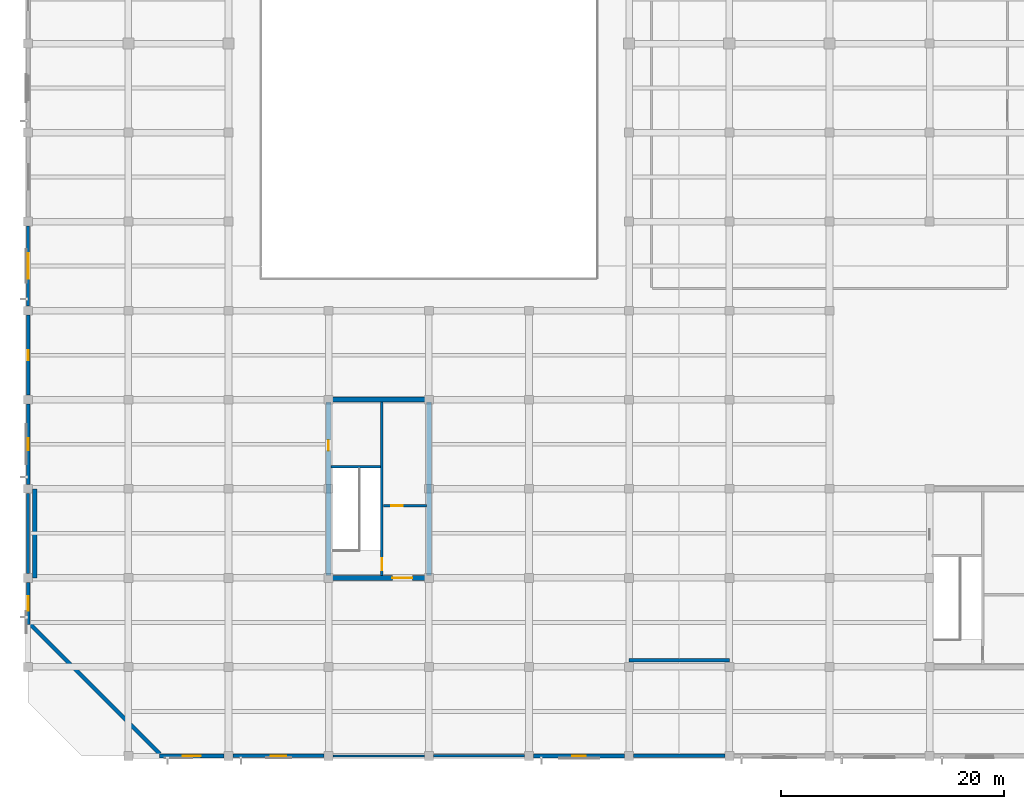
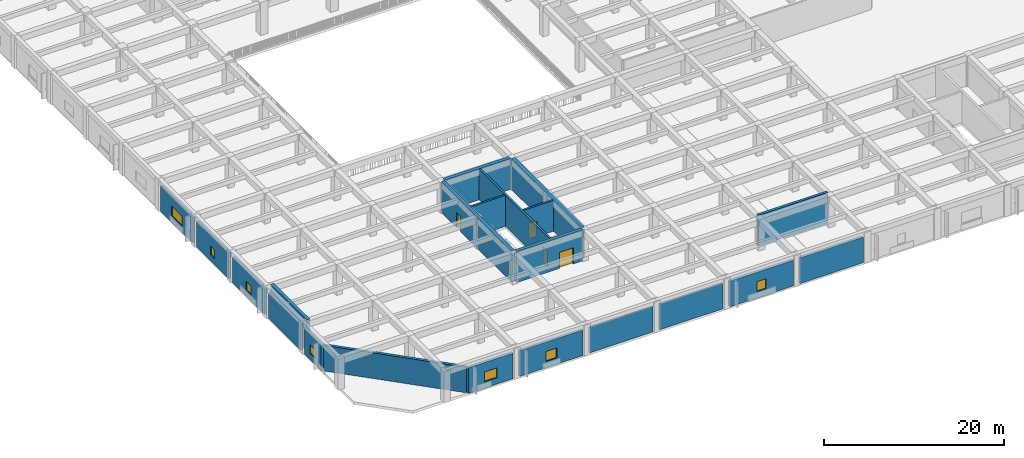
# One storey, part 9 of 32: 21 walls, 7 windows, 4 doors, 11 openings.
"""IFC4 building model written with IfcOpenShell, lengths in metres."""

from ifc_helpers import new_model, si_unit, direction, frame, frame_2d, origin, place, context, subcontext, project, spatial, rectangle, extrude, material, layer, layer_set, type_object, element, fill, save


model = new_model("IFC4")

# Units and contexts
model_context = context("Model", 3, precision=1e-05, world=origin(), true_north=direction((0.0, 1.0)))
body_context = subcontext(model_context, "Body", "Model", "MODEL_VIEW")
ifc_project = project(units=[si_unit("LENGTHUNIT", "METRE"), si_unit("AREAUNIT", "SQUARE_METRE"), si_unit("VOLUMEUNIT", "CUBIC_METRE"), si_unit("PLANEANGLEUNIT", "RADIAN"), si_unit("MASSUNIT", "GRAM", prefix="KILO")], contexts=[model_context])

# Site, building, storey
site_placement = place(None, origin())
site = spatial("IfcSite", under=ifc_project, at=site_placement, CompositionType="ELEMENT")
building_placement = place(site_placement, origin())
building = spatial("IfcBuilding", under=site, at=building_placement, Name="Zaverband Oceanarium and Marine Research Institute", CompositionType="ELEMENT")
storey_placement = place(building_placement, frame((0.0, 0.0, 13.5)))
storey = spatial("IfcBuildingStorey", under=building, at=storey_placement, Name="L03", CompositionType="ELEMENT", Elevation=13.5)

# Walls
ifc_material_1 = material(Name="Concrete C40/50 precast", Category="concrete")
ifc_layer_1 = layer(ifc_material_1, 0.18505859375, Name="Concrete C40/50 precast")
ifc_layer_set_1 = layer_set([ifc_layer_1], Name="Concrete C40/50 precast")
wall_type_1 = type_object("IfcWallType", Name="CLS-185", PredefinedType="ELEMENTEDWALL", material=ifc_layer_set_1)
wall_1_placement = place(storey_placement, frame((27.405029296875, 0.0, 0.0), z_axis=(0.0, 0.0, 1.0), x_axis=(1.0, 0.0, 0.0)))
element("IfcWall", 1, at=wall_1_placement, inside=storey, type_object=wall_type_1, Name="Pierced concrete screen CLS-185", PredefinedType="ELEMENTEDWALL", context=body_context, shape_type="SweptSolid", body=[
    extrude(rectangle(XDim=8.18994140625, YDim=0.18505859375, at=frame_2d((4.094970703125, 0.0))), origin(), (0.0, 0.0, 1.0), 3.47998046875),
])
ifc_layer_2 = layer(ifc_material_1, 0.2099609375, Name="Concrete C40/50 precast")
ifc_layer_set_2 = layer_set([ifc_layer_2], Name="Concrete C40/50 precast")
wall_type_2 = type_object("IfcWallType", Name="CLS-210", PredefinedType="ELEMENTEDWALL", material=ifc_layer_set_2)
wall_2_placement = place(storey_placement, frame((36.405029296875, 0.0, 0.0), z_axis=(0.0, 0.0, 1.0), x_axis=(1.0, 0.0, 0.0)))
element("IfcWall", 2, at=wall_2_placement, inside=storey, type_object=wall_type_2, Name="Pierced concrete screen CLS-210", PredefinedType="ELEMENTEDWALL", context=body_context, shape_type="SweptSolid", body=[
    extrude(rectangle(XDim=8.18994140625, YDim=0.2099609375, at=frame_2d((4.094970703125, 0.0))), origin(), (0.0, 0.0, 1.0), 3.47998046875),
])

# Wall, opening, door
ifc_material_2 = material(Name="Concrete C50/60", Category="concrete")
ifc_layer_3 = layer(ifc_material_2, 0.449951171875, Name="Concrete C50/60")
ifc_layer_set_3 = layer_set([ifc_layer_3], Name="Concrete C50/60")
wall_type_3 = type_object("IfcWallType", Name="CW-02", PredefinedType="SHEAR", material=ifc_layer_set_3)
wall_3_placement = place(storey_placement, frame((27.22509765625, 16.0, 0.0), z_axis=(0.0, 0.0, 1.0), x_axis=(1.0, 0.0, 0.0)))
wall_3 = element("IfcWall", 3, at=wall_3_placement, inside=storey, type_object=wall_type_3, Name="Structural shear wall CW-02", PredefinedType="SHEAR", context=body_context, shape_type="SweptSolid", body=[
    extrude(rectangle(XDim=8.5498046875, YDim=0.449951171875, at=frame_2d((4.27490234375, 0.0))), origin(), (0.0, 0.0, 1.0), 4.199951171875),
])
opening_1_placement = place(wall_3_placement, frame((5.5, 0.0, 0.0)))
opening_1 = element("IfcOpeningElement", 4, at=opening_1_placement, cuts=wall_3, Name="Opening FD-02", PredefinedType="OPENING", context=body_context, shape_type="SweptSolid", body=[
    extrude(rectangle(XDim=1.800048828125, YDim=2.179931640625, at=frame_2d((0.89990234375, 1.08984375))), frame((0.0, 0.23681640625, 0.0), z_axis=(0.0, -1.0, 0.0), x_axis=(1.0, 0.0, 0.0)), (0.0, 0.0, 1.0), 0.473876953125),
])
ifc_material_3 = material(Name="Steel S355", Category="steel")
door_type_1 = type_object("IfcDoorType", Name="FD-02", OperationType="DOUBLE_DOOR_SINGLE_SWING", PredefinedType="DOOR", material=ifc_material_3)
door_1_placement = place(opening_1_placement, origin())
door_1 = element("IfcDoor", 5, at=door_1_placement, inside=storey, type_object=door_type_1, Name="Protected lobby double fire door FD-02", OperationType="DOUBLE_DOOR_SINGLE_SWING", OverallHeight=2.179931640625, OverallWidth=1.800048828125, PredefinedType="DOOR", context=body_context, shape_type="SweptSolid", body=[
    extrude(rectangle(XDim=1.800048828125, YDim=2.179931640625, at=frame_2d((0.89990234375, 1.08984375))), frame((0.0, 0.02490234375, 0.0), z_axis=(0.0, -1.0, 0.0), x_axis=(1.0, 0.0, 0.0)), (0.0, 0.0, 1.0), 0.050048828125),
])
fill(opening_1, door_1)

# Wall
wall_4_placement = place(storey_placement, frame((27.22509765625, 32.0, 0.0), z_axis=(0.0, 0.0, 1.0), x_axis=(1.0, 0.0, 0.0)))
element("IfcWall", 6, at=wall_4_placement, inside=storey, type_object=wall_type_3, Name="Structural shear wall CW-02", PredefinedType="SHEAR", context=body_context, shape_type="SweptSolid", body=[
    extrude(rectangle(XDim=8.5498046875, YDim=0.449951171875, at=frame_2d((4.27490234375, 0.0))), origin(), (0.0, 0.0, 1.0), 4.199951171875),
])

# Wall, opening, door
wall_5_placement = place(storey_placement, frame((27.0, 16.22509765625, 0.0), z_axis=(0.0, 0.0, 1.0), x_axis=(0.0, 1.0, 0.0)))
wall_5 = element("IfcWall", 7, at=wall_5_placement, inside=storey, type_object=wall_type_3, Name="Structural shear wall CW-02", PredefinedType="SHEAR", context=body_context, shape_type="SweptSolid", body=[
    extrude(rectangle(XDim=15.5498046875, YDim=0.449951171875, at=frame_2d((7.77490234375, 0.0))), origin(), (0.0, 0.0, 1.0), 4.199951171875),
])
opening_2_placement = place(wall_5_placement, frame((11.199951171875, 0.0, 0.0)))
opening_2 = element("IfcOpeningElement", 8, at=opening_2_placement, cuts=wall_5, Name="Opening FD-03", PredefinedType="OPENING", context=body_context, shape_type="SweptSolid", body=[
    extrude(rectangle(XDim=0.949951171875, YDim=2.10009765625, at=frame_2d((0.47509765625, 1.050048828125))), frame((0.0, 0.23681640625, 0.0), z_axis=(0.0, -1.0, 0.0), x_axis=(1.0, 0.0, 0.0)), (0.0, 0.0, 1.0), 0.473876953125),
])
door_type_2 = type_object("IfcDoorType", Name="FD-03", OperationType="NOTDEFINED", PredefinedType="DOOR", material=ifc_material_3)
door_2_placement = place(opening_2_placement, origin())
door_2 = element("IfcDoor", 9, at=door_2_placement, inside=storey, type_object=door_type_2, Name="Service riser access fire door FD-03", OperationType="SINGLE_SWING_RIGHT", OverallHeight=2.10009765625, OverallWidth=0.949951171875, PredefinedType="DOOR", context=body_context, shape_type="SweptSolid", body=[
    extrude(rectangle(XDim=0.949951171875, YDim=2.10009765625, at=frame_2d((0.47509765625, 1.050048828125))), frame((0.0, 0.02490234375, 0.0), z_axis=(0.0, -1.0, 0.0), x_axis=(1.0, 0.0, 0.0)), (0.0, 0.0, 1.0), 0.050048828125),
])
fill(opening_2, door_2)

# Walls
wall_6_placement = place(storey_placement, frame((36.0, 16.22509765625, 0.0), z_axis=(0.0, 0.0, 1.0), x_axis=(0.0, 1.0, 0.0)))
element("IfcWall", 10, at=wall_6_placement, inside=storey, type_object=wall_type_3, Name="Structural shear wall CW-02", PredefinedType="SHEAR", context=body_context, shape_type="SweptSolid", body=[
    extrude(rectangle(XDim=15.5498046875, YDim=0.449951171875, at=frame_2d((7.77490234375, 0.0))), origin(), (0.0, 0.0, 1.0), 4.199951171875),
])
ifc_layer_4 = layer(ifc_material_1, 0.264892578125, Name="Concrete C40/50 precast")
ifc_layer_set_4 = layer_set([ifc_layer_4], Name="Concrete C40/50 precast")
wall_type_4 = type_object("IfcWallType", Name="EW-265", PredefinedType="STANDARD", material=ifc_layer_set_4)
wall_7_placement = place(storey_placement, frame((0.0, 16.405029296875, 0.0), z_axis=(0.0, 0.0, 1.0), x_axis=(0.0, 1.0, 0.0)))
element("IfcWall", 11, at=wall_7_placement, inside=storey, type_object=wall_type_4, Name="Exterior infill wall EW-265", PredefinedType="STANDARD", context=body_context, shape_type="SweptSolid", body=[
    extrude(rectangle(XDim=7.18994140625, YDim=0.264892578125, at=frame_2d((3.594970703125, 0.0))), origin(), (0.0, 0.0, 1.0), 3.47998046875),
])

# Wall, opening, window
wall_8_placement = place(storey_placement, frame((0.0, 40.405029296875, 0.0), z_axis=(0.0, 0.0, 1.0), x_axis=(0.0, 1.0, 0.0)))
wall_8 = element("IfcWall", 12, at=wall_8_placement, inside=storey, type_object=wall_type_4, Name="Exterior infill wall EW-265", PredefinedType="STANDARD", context=body_context, shape_type="SweptSolid", body=[
    extrude(rectangle(XDim=7.18994140625, YDim=0.264892578125, at=frame_2d((3.594970703125, 0.0))), origin(), (0.0, 0.0, 1.0), 3.47998046875),
])
opening_3_placement = place(wall_8_placement, frame((2.445068359375, 0.0, 0.85009765625)))
opening_3 = element("IfcOpeningElement", 13, at=opening_3_placement, cuts=wall_8, Name="Opening WN-2300x1350", PredefinedType="OPENING", context=body_context, shape_type="SweptSolid", body=[
    extrude(rectangle(XDim=2.300048828125, YDim=1.35009765625, at=frame_2d((1.14990234375, 0.675048828125))), frame((0.0, 0.14453125, 0.0), z_axis=(0.0, -1.0, 0.0), x_axis=(1.0, 0.0, 0.0)), (0.0, 0.0, 1.0), 0.288818359375),
])
ifc_material_4 = material(Name="Thermally broken anodized aluminium and solar-control glass", Category="aluminium")
window_type_1 = type_object("IfcWindowType", Name="WN-2300x1350", PartitioningType="SINGLE_PANEL", PredefinedType="WINDOW", material=ifc_material_4)
window_1_placement = place(opening_3_placement, origin())
window_1 = element("IfcWindow", 14, at=window_1_placement, inside=storey, type_object=window_type_1, Name="Fixed / casement exterior window WN-2300x1350", OverallHeight=1.35009765625, OverallWidth=2.300048828125, PartitioningType="SINGLE_PANEL", PredefinedType="WINDOW", context=body_context, shape_type="SweptSolid", body=[
    extrude(rectangle(XDim=2.300048828125, YDim=1.35009765625, at=frame_2d((1.14990234375, 0.675048828125))), frame((0.0, 0.030029296875, 0.0), z_axis=(0.0, -1.0, 0.0), x_axis=(1.0, 0.0, 0.0)), (0.0, 0.0, 1.0), 0.06005859375),
])
fill(opening_3, window_1)

ifc_layer_5 = layer(ifc_material_1, 0.2900390625, Name="Concrete C40/50 precast")
ifc_layer_set_5 = layer_set([ifc_layer_5], Name="Concrete C40/50 precast")
wall_type_5 = type_object("IfcWallType", Name="EW-290", PredefinedType="STANDARD", material=ifc_layer_set_5)
wall_9_placement = place(storey_placement, frame((0.0, 11.820068359375, 0.0), z_axis=(0.0, 0.0, 1.0), x_axis=(0.0, 1.0, 0.0)))
wall_9 = element("IfcWall", 15, at=wall_9_placement, inside=storey, type_object=wall_type_5, Name="Exterior infill wall EW-290", PredefinedType="STANDARD", context=body_context, shape_type="SweptSolid", body=[
    extrude(rectangle(XDim=3.77490234375, YDim=0.2900390625, at=frame_2d((1.887451171875, 0.0))), origin(), (0.0, 0.0, 1.0), 3.47998046875),
])
opening_4_placement = place(wall_9_placement, frame((1.237548828125, 0.0, 0.85009765625)))
opening_4 = element("IfcOpeningElement", 16, at=opening_4_placement, cuts=wall_9, Name="Opening WN-1300x1200", PredefinedType="OPENING", context=body_context, shape_type="SweptSolid", body=[
    extrude(rectangle(XDim=1.300048828125, YDim=1.199951171875, at=frame_2d((0.64990234375, 0.60009765625))), frame((0.0, 0.156982421875, 0.0), z_axis=(0.0, -1.0, 0.0), x_axis=(1.0, 0.0, 0.0)), (0.0, 0.0, 1.0), 0.31396484375),
])
window_type_2 = type_object("IfcWindowType", Name="WN-1300x1200", PartitioningType="SINGLE_PANEL", PredefinedType="WINDOW", material=ifc_material_4)
window_2_placement = place(opening_4_placement, origin())
window_2 = element("IfcWindow", 17, at=window_2_placement, inside=storey, type_object=window_type_2, Name="Fixed / casement exterior window WN-1300x1200", OverallHeight=1.199951171875, OverallWidth=1.300048828125, PartitioningType="SINGLE_PANEL", PredefinedType="WINDOW", context=body_context, shape_type="SweptSolid", body=[
    extrude(rectangle(XDim=1.300048828125, YDim=1.199951171875, at=frame_2d((0.64990234375, 0.60009765625))), frame((0.0, 0.030029296875, 0.0), z_axis=(0.0, -1.0, 0.0), x_axis=(1.0, 0.0, 0.0)), (0.0, 0.0, 1.0), 0.06005859375),
])
fill(opening_4, window_2)

wall_10_placement = place(storey_placement, frame((0.0, 32.405029296875, 0.0), z_axis=(0.0, 0.0, 1.0), x_axis=(0.0, 1.0, 0.0)))
wall_10 = element("IfcWall", 18, at=wall_10_placement, inside=storey, type_object=wall_type_5, Name="Exterior infill wall EW-290", PredefinedType="STANDARD", context=body_context, shape_type="SweptSolid", body=[
    extrude(rectangle(XDim=7.18994140625, YDim=0.2900390625, at=frame_2d((3.594970703125, 0.0))), origin(), (0.0, 0.0, 1.0), 3.47998046875),
])
opening_5_placement = place(wall_10_placement, frame((3.14501953125, 0.0, 0.85009765625)))
opening_5 = element("IfcOpeningElement", 19, at=opening_5_placement, cuts=wall_10, Name="Opening WN-900x1200", PredefinedType="OPENING", context=body_context, shape_type="SweptSolid", body=[
    extrude(rectangle(XDim=0.89990234375, YDim=1.199951171875, at=frame_2d((0.449951171875, 0.60009765625))), frame((0.0, 0.156982421875, 0.0), z_axis=(0.0, -1.0, 0.0), x_axis=(1.0, 0.0, 0.0)), (0.0, 0.0, 1.0), 0.31396484375),
])
window_type_3 = type_object("IfcWindowType", Name="WN-900x1200", PartitioningType="SINGLE_PANEL", PredefinedType="WINDOW", material=ifc_material_4)
window_3_placement = place(opening_5_placement, origin())
window_3 = element("IfcWindow", 20, at=window_3_placement, inside=storey, type_object=window_type_3, Name="Fixed / casement exterior window WN-900x1200", OverallHeight=1.199951171875, OverallWidth=0.89990234375, PartitioningType="SINGLE_PANEL", PredefinedType="WINDOW", context=body_context, shape_type="SweptSolid", body=[
    extrude(rectangle(XDim=0.89990234375, YDim=1.199951171875, at=frame_2d((0.449951171875, 0.60009765625))), frame((0.0, 0.030029296875, 0.0), z_axis=(0.0, -1.0, 0.0), x_axis=(1.0, 0.0, 0.0)), (0.0, 0.0, 1.0), 0.06005859375),
])
fill(opening_5, window_3)

ifc_layer_6 = layer(ifc_material_1, 0.31005859375, Name="Concrete C40/50 precast")
ifc_layer_set_6 = layer_set([ifc_layer_6], Name="Concrete C40/50 precast")
wall_type_6 = type_object("IfcWallType", Name="EW-310", PredefinedType="STANDARD", material=ifc_layer_set_6)
wall_11_placement = place(storey_placement, frame((18.405029296875, 0.0, 0.0), z_axis=(0.0, 0.0, 1.0), x_axis=(1.0, 0.0, 0.0)))
wall_11 = element("IfcWall", 21, at=wall_11_placement, inside=storey, type_object=wall_type_6, Name="Exterior infill wall EW-310", PredefinedType="STANDARD", context=body_context, shape_type="SweptSolid", body=[
    extrude(rectangle(XDim=8.18994140625, YDim=0.31005859375, at=frame_2d((4.094970703125, 0.0))), origin(), (0.0, 0.0, 1.0), 3.47998046875),
])
opening_6_placement = place(wall_11_placement, frame((3.39501953125, 0.0, 0.85009765625)))
opening_6 = element("IfcOpeningElement", 22, at=opening_6_placement, cuts=wall_11, Name="Opening WN-1400x1350", PredefinedType="OPENING", context=body_context, shape_type="SweptSolid", body=[
    extrude(rectangle(XDim=1.39990234375, YDim=1.35009765625, at=frame_2d((0.699951171875, 0.675048828125))), frame((0.0, 0.1669921875, 0.0), z_axis=(0.0, -1.0, 0.0), x_axis=(1.0, 0.0, 0.0)), (0.0, 0.0, 1.0), 0.333984375),
])
window_type_4 = type_object("IfcWindowType", Name="WN-1400x1350", PartitioningType="SINGLE_PANEL", PredefinedType="WINDOW", material=ifc_material_4)
window_4_placement = place(opening_6_placement, origin())
window_4 = element("IfcWindow", 23, at=window_4_placement, inside=storey, type_object=window_type_4, Name="Fixed / casement exterior window WN-1400x1350", OverallHeight=1.35009765625, OverallWidth=1.39990234375, PartitioningType="SINGLE_PANEL", PredefinedType="WINDOW", context=body_context, shape_type="SweptSolid", body=[
    extrude(rectangle(XDim=1.39990234375, YDim=1.35009765625, at=frame_2d((0.699951171875, 0.675048828125))), frame((0.0, 0.030029296875, 0.0), z_axis=(0.0, -1.0, 0.0), x_axis=(1.0, 0.0, 0.0)), (0.0, 0.0, 1.0), 0.06005859375),
])
fill(opening_6, window_4)

# Wall
wall_12_placement = place(storey_placement, frame((54.405029296875, 0.0, 0.0), z_axis=(0.0, 0.0, 1.0), x_axis=(1.0, 0.0, 0.0)))
element("IfcWall", 24, at=wall_12_placement, inside=storey, type_object=wall_type_6, Name="Exterior infill wall EW-310", PredefinedType="STANDARD", context=body_context, shape_type="SweptSolid", body=[
    extrude(rectangle(XDim=8.18994140625, YDim=0.31005859375, at=frame_2d((4.094970703125, 0.0))), origin(), (0.0, 0.0, 1.0), 3.47998046875),
])

# Wall, opening, window
wall_13_placement = place(storey_placement, frame((0.0, 24.405029296875, 0.0), z_axis=(0.0, 0.0, 1.0), x_axis=(0.0, 1.0, 0.0)))
wall_13 = element("IfcWall", 25, at=wall_13_placement, inside=storey, type_object=wall_type_6, Name="Exterior infill wall EW-310", PredefinedType="STANDARD", context=body_context, shape_type="SweptSolid", body=[
    extrude(rectangle(XDim=7.18994140625, YDim=0.31005859375, at=frame_2d((3.594970703125, 0.0))), origin(), (0.0, 0.0, 1.0), 3.47998046875),
])
opening_7_placement = place(wall_13_placement, frame((3.044921875, 0.0, 0.85009765625)))
opening_7 = element("IfcOpeningElement", 26, at=opening_7_placement, cuts=wall_13, Name="Opening WN-1100x1200", PredefinedType="OPENING", context=body_context, shape_type="SweptSolid", body=[
    extrude(rectangle(XDim=1.10009765625, YDim=1.199951171875, at=frame_2d((0.550048828125, 0.60009765625))), frame((0.0, 0.1669921875, 0.0), z_axis=(0.0, -1.0, 0.0), x_axis=(1.0, 0.0, 0.0)), (0.0, 0.0, 1.0), 0.333984375),
])
window_type_5 = type_object("IfcWindowType", Name="WN-1100x1200", PartitioningType="SINGLE_PANEL", PredefinedType="WINDOW", material=ifc_material_4)
window_5_placement = place(opening_7_placement, origin())
window_5 = element("IfcWindow", 27, at=window_5_placement, inside=storey, type_object=window_type_5, Name="Fixed / casement exterior window WN-1100x1200", OverallHeight=1.199951171875, OverallWidth=1.10009765625, PartitioningType="SINGLE_PANEL", PredefinedType="WINDOW", context=body_context, shape_type="SweptSolid", body=[
    extrude(rectangle(XDim=1.10009765625, YDim=1.199951171875, at=frame_2d((0.550048828125, 0.60009765625))), frame((0.0, 0.030029296875, 0.0), z_axis=(0.0, -1.0, 0.0), x_axis=(1.0, 0.0, 0.0)), (0.0, 0.0, 1.0), 0.06005859375),
])
fill(opening_7, window_5)

ifc_layer_7 = layer(ifc_material_1, 0.340087890625, Name="Concrete C40/50 precast")
ifc_layer_set_7 = layer_set([ifc_layer_7], Name="Concrete C40/50 precast")
wall_type_7 = type_object("IfcWallType", Name="EW-340", PredefinedType="STANDARD", material=ifc_layer_set_7)
wall_14_placement = place(storey_placement, frame((11.820068359375, 0.0, 0.0), z_axis=(0.0, 0.0, 1.0), x_axis=(1.0, 0.0, 0.0)))
wall_14 = element("IfcWall", 28, at=wall_14_placement, inside=storey, type_object=wall_type_7, Name="Exterior infill wall EW-340", PredefinedType="STANDARD", context=body_context, shape_type="SweptSolid", body=[
    extrude(rectangle(XDim=5.77490234375, YDim=0.340087890625, at=frame_2d((2.887451171875, 0.0))), origin(), (0.0, 0.0, 1.0), 3.47998046875),
])
opening_8_placement = place(wall_14_placement, frame((2.08740234375, 0.0, 0.85009765625)))
opening_8 = element("IfcOpeningElement", 29, at=opening_8_placement, cuts=wall_14, Name="Opening WN-1600x1350", PredefinedType="OPENING", context=body_context, shape_type="SweptSolid", body=[
    extrude(rectangle(XDim=1.60009765625, YDim=1.35009765625, at=frame_2d((0.800048828125, 0.675048828125))), frame((0.0, 0.18212890625, 0.0), z_axis=(0.0, -1.0, 0.0), x_axis=(1.0, 0.0, 0.0)), (0.0, 0.0, 1.0), 0.364013671875),
])
window_type_6 = type_object("IfcWindowType", Name="WN-1600x1350", PartitioningType="SINGLE_PANEL", PredefinedType="WINDOW", material=ifc_material_4)
window_6_placement = place(opening_8_placement, origin())
window_6 = element("IfcWindow", 30, at=window_6_placement, inside=storey, type_object=window_type_6, Name="Fixed / casement exterior window WN-1600x1350", OverallHeight=1.35009765625, OverallWidth=1.60009765625, PartitioningType="SINGLE_PANEL", PredefinedType="WINDOW", context=body_context, shape_type="SweptSolid", body=[
    extrude(rectangle(XDim=1.60009765625, YDim=1.35009765625, at=frame_2d((0.800048828125, 0.675048828125))), frame((0.0, 0.030029296875, 0.0), z_axis=(0.0, -1.0, 0.0), x_axis=(1.0, 0.0, 0.0)), (0.0, 0.0, 1.0), 0.06005859375),
])
fill(opening_8, window_6)

wall_15_placement = place(storey_placement, frame((45.405029296875, 0.0, 0.0), z_axis=(0.0, 0.0, 1.0), x_axis=(1.0, 0.0, 0.0)))
wall_15 = element("IfcWall", 31, at=wall_15_placement, inside=storey, type_object=wall_type_7, Name="Exterior infill wall EW-340", PredefinedType="STANDARD", context=body_context, shape_type="SweptSolid", body=[
    extrude(rectangle(XDim=8.18994140625, YDim=0.340087890625, at=frame_2d((4.094970703125, 0.0))), origin(), (0.0, 0.0, 1.0), 3.47998046875),
])
opening_9_placement = place(wall_15_placement, frame((3.4951171875, 0.0, 0.85009765625)))
opening_9 = element("IfcOpeningElement", 32, at=opening_9_placement, cuts=wall_15, Name="Opening WN-1200x1350", PredefinedType="OPENING", context=body_context, shape_type="SweptSolid", body=[
    extrude(rectangle(XDim=1.199951171875, YDim=1.35009765625, at=frame_2d((0.60009765625, 0.675048828125))), frame((0.0, 0.18212890625, 0.0), z_axis=(0.0, -1.0, 0.0), x_axis=(1.0, 0.0, 0.0)), (0.0, 0.0, 1.0), 0.364013671875),
])
window_type_7 = type_object("IfcWindowType", Name="WN-1200x1350", PartitioningType="SINGLE_PANEL", PredefinedType="WINDOW", material=ifc_material_4)
window_7_placement = place(opening_9_placement, origin())
window_7 = element("IfcWindow", 33, at=window_7_placement, inside=storey, type_object=window_type_7, Name="Fixed / casement exterior window WN-1200x1350", OverallHeight=1.35009765625, OverallWidth=1.199951171875, PartitioningType="SINGLE_PANEL", PredefinedType="WINDOW", context=body_context, shape_type="SweptSolid", body=[
    extrude(rectangle(XDim=1.199951171875, YDim=1.35009765625, at=frame_2d((0.60009765625, 0.675048828125))), frame((0.0, 0.030029296875, 0.0), z_axis=(0.0, -1.0, 0.0), x_axis=(1.0, 0.0, 0.0)), (0.0, 0.0, 1.0), 0.06005859375),
])
fill(opening_9, window_7)

# Wall
wall_16_placement = place(storey_placement, frame((0.179931640625, 11.820068359375, 0.0), z_axis=(0.0, 0.0, 1.0), x_axis=(0.707106781187, -0.707106781187, 0.0)))
element("IfcWall", 34, at=wall_16_placement, inside=storey, type_object=wall_type_7, Name="Exterior infill wall EW-340", PredefinedType="STANDARD", context=body_context, shape_type="SweptSolid", body=[
    extrude(rectangle(XDim=16.461669921875, YDim=0.340087890625, at=frame_2d((8.23095703125, 0.0))), origin(), (0.0, 0.0, 1.0), 3.47998046875),
])

# Wall, opening, door
ifc_layer_8 = layer(ifc_material_2, 0.25, Name="Concrete C50/60")
ifc_layer_set_8 = layer_set([ifc_layer_8], Name="Concrete C50/60")
wall_type_8 = type_object("IfcWallType", Name="PW-CORE-250", PredefinedType="SOLIDWALL", material=ifc_layer_set_8)
wall_17_placement = place(storey_placement, frame((31.77490234375, 16.22509765625, 0.0), z_axis=(0.0, 0.0, 1.0), x_axis=(0.0, 1.0, 0.0)))
wall_17 = element("IfcWall", 35, at=wall_17_placement, inside=storey, type_object=wall_type_8, Name="Structural concrete wall PW-CORE-250", PredefinedType="SOLIDWALL", context=body_context, shape_type="SweptSolid", body=[
    extrude(rectangle(XDim=15.5498046875, YDim=0.25, at=frame_2d((7.77490234375, 0.0))), origin(), (0.0, 0.0, 1.0), 4.199951171875),
])
opening_10_placement = place(wall_17_placement, frame((0.449951171875, 0.0, 0.0)))
opening_10 = element("IfcOpeningElement", 36, at=opening_10_placement, cuts=wall_17, Name="Opening FD-01", PredefinedType="OPENING", context=body_context, shape_type="SweptSolid", body=[
    extrude(rectangle(XDim=1.10009765625, YDim=2.14990234375, at=frame_2d((0.550048828125, 1.074951171875))), frame((0.0, 0.136962890625, 0.0), z_axis=(0.0, -1.0, 0.0), x_axis=(1.0, 0.0, 0.0)), (0.0, 0.0, 1.0), 0.27392578125),
])
door_type_3 = type_object("IfcDoorType", Name="FD-01", OperationType="NOTDEFINED", PredefinedType="DOOR", material=ifc_material_3)
door_3_placement = place(opening_10_placement, origin())
door_3 = element("IfcDoor", 37, at=door_3_placement, inside=storey, type_object=door_type_3, Name="Core stair / lobby fire door FD-01", OperationType="SINGLE_SWING_RIGHT", OverallHeight=2.14990234375, OverallWidth=1.10009765625, PredefinedType="DOOR", context=body_context, shape_type="SweptSolid", body=[
    extrude(rectangle(XDim=1.10009765625, YDim=2.14990234375, at=frame_2d((0.550048828125, 1.074951171875))), frame((0.0, 0.02490234375, 0.0), z_axis=(0.0, -1.0, 0.0), x_axis=(1.0, 0.0, 0.0)), (0.0, 0.0, 1.0), 0.050048828125),
])
fill(opening_10, door_3)

# Wall
wall_18_placement = place(storey_placement, frame((27.22509765625, 25.97509765625, 0.0), z_axis=(0.0, 0.0, 1.0), x_axis=(1.0, 0.0, 0.0)))
element("IfcWall", 38, at=wall_18_placement, inside=storey, type_object=wall_type_8, Name="Structural concrete wall PW-CORE-250", PredefinedType="SOLIDWALL", context=body_context, shape_type="SweptSolid", body=[
    extrude(rectangle(XDim=4.419921875, YDim=0.25, at=frame_2d((2.2099609375, 0.0))), origin(), (0.0, 0.0, 1.0), 4.199951171875),
])

# Wall, opening, door
wall_19_placement = place(storey_placement, frame((31.905029296875, 22.47509765625, 0.0), z_axis=(0.0, 0.0, 1.0), x_axis=(1.0, 0.0, 0.0)))
wall_19 = element("IfcWall", 39, at=wall_19_placement, inside=storey, type_object=wall_type_8, Name="Structural concrete wall PW-CORE-250", PredefinedType="SOLIDWALL", context=body_context, shape_type="SweptSolid", body=[
    extrude(rectangle(XDim=3.869873046875, YDim=0.25, at=frame_2d((1.93505859375, 0.0))), origin(), (0.0, 0.0, 1.0), 4.199951171875),
])
opening_11_placement = place(wall_19_placement, frame((0.719970703125, 0.0, 0.0)))
opening_11 = element("IfcOpeningElement", 40, at=opening_11_placement, cuts=wall_19, Name="Opening LD-02", PredefinedType="OPENING", context=body_context, shape_type="SweptSolid", body=[
    extrude(rectangle(XDim=1.050048828125, YDim=2.1201171875, at=frame_2d((0.52490234375, 1.06005859375))), frame((0.0, 0.136962890625, 0.0), z_axis=(0.0, -1.0, 0.0), x_axis=(1.0, 0.0, 0.0)), (0.0, 0.0, 1.0), 0.27392578125),
])
door_type_4 = type_object("IfcDoorType", Name="LD-02", OperationType="DOUBLE_DOOR_SLIDING", PredefinedType="DOOR", material=ifc_material_3)
door_4_placement = place(opening_11_placement, origin())
door_4 = element("IfcDoor", 41, at=door_4_placement, inside=storey, type_object=door_type_4, Name="Passenger lift sliding landing door LD-02", OperationType="DOUBLE_DOOR_SLIDING", OverallHeight=2.1201171875, OverallWidth=1.050048828125, PredefinedType="DOOR", context=body_context, shape_type="SweptSolid", body=[
    extrude(rectangle(XDim=1.050048828125, YDim=2.1201171875, at=frame_2d((0.52490234375, 1.06005859375))), frame((0.0, 0.02490234375, 0.0), z_axis=(0.0, -1.0, 0.0), x_axis=(1.0, 0.0, 0.0)), (0.0, 0.0, 1.0), 0.050048828125),
])
fill(opening_11, door_4)

# Walls
ifc_material_5 = material(Name="Concrete C40/50", Category="concrete")
ifc_layer_9 = layer(ifc_material_5, 0.320068359375, Name="Concrete C40/50")
ifc_layer_set_9 = layer_set([ifc_layer_9], Name="Concrete C40/50")
wall_type_9 = type_object("IfcWallType", Name="SCW-02", PredefinedType="SOLIDWALL", material=ifc_layer_set_9)
wall_20_placement = place(storey_placement, frame((54.0, 8.60009765625, 0.0), z_axis=(0.0, 0.0, 1.0), x_axis=(1.0, 0.0, 0.0)))
element("IfcWall", 42, at=wall_20_placement, inside=storey, type_object=wall_type_9, Name="Structural concrete wall SCW-02", PredefinedType="SOLIDWALL", context=body_context, shape_type="SweptSolid", body=[
    extrude(rectangle(XDim=9.0, YDim=0.320068359375, at=frame_2d((4.5, 0.0))), origin(), (0.0, 0.0, 1.0), 4.199951171875),
])
ifc_layer_10 = layer(ifc_material_2, 0.419921875, Name="Concrete C50/60")
ifc_layer_set_10 = layer_set([ifc_layer_10], Name="Concrete C50/60")
wall_type_10 = type_object("IfcWallType", Name="SW-01", PredefinedType="SHEAR", material=ifc_layer_set_10)
wall_21_placement = place(storey_placement, frame((0.60009765625, 16.0, 0.0), z_axis=(0.0, 0.0, 1.0), x_axis=(0.0, 1.0, 0.0)))
element("IfcWall", 43, at=wall_21_placement, inside=storey, type_object=wall_type_10, Name="Structural shear wall SW-01", PredefinedType="SHEAR", context=body_context, shape_type="SweptSolid", body=[
    extrude(rectangle(XDim=8.0, YDim=0.419921875, at=frame_2d((4.0, 0.0))), origin(), (0.0, 0.0, 1.0), 4.199951171875),
])

save(model, "model.ifc")
